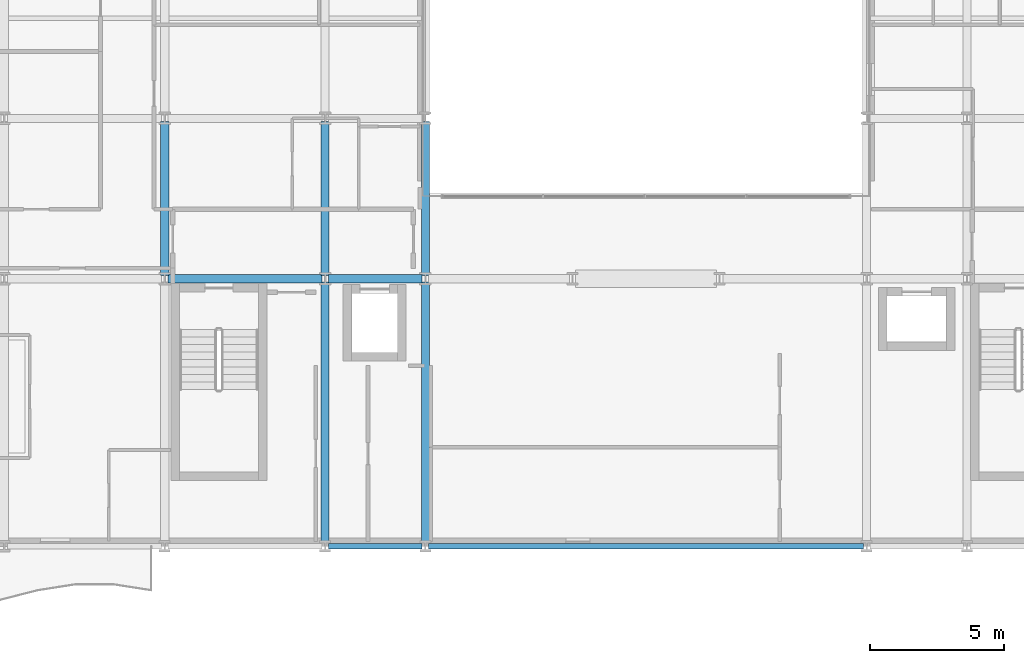
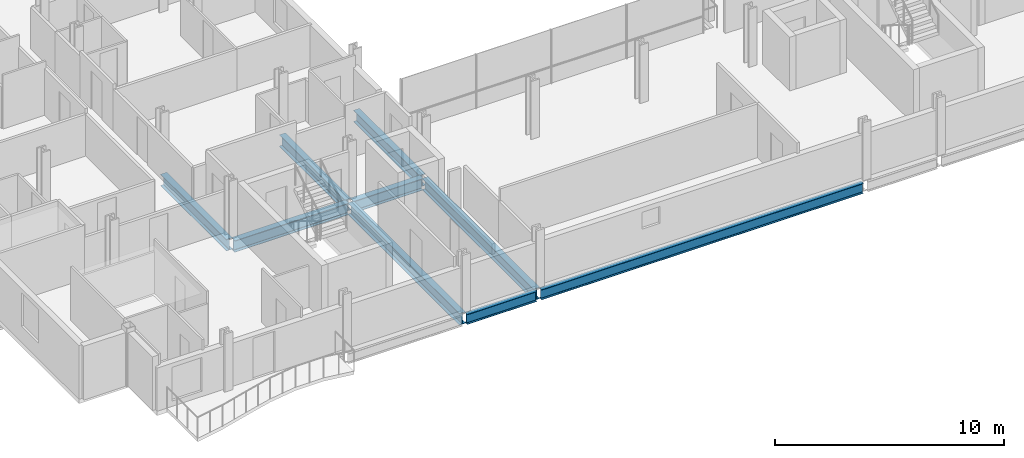
# One storey, part 3 of 41: 9 beams.
"""IFC4 building model written with IfcOpenShell, lengths in metres."""

from ifc_helpers import new_model, si_unit, direction, frame, origin, origin_2d, place, context, subcontext, project, spatial, i_section, extrude, material, material_profile, profile_set, type_object, element, save


model = new_model("IFC4")

# Units and contexts
model_context = context("Model", 3, precision=1e-05, world=origin(), true_north=direction((0.0, 1.0)))
body_context = subcontext(model_context, "Body", "Model", "MODEL_VIEW")
ifc_project = project(units=[si_unit("LENGTHUNIT", "METRE"), si_unit("AREAUNIT", "SQUARE_METRE"), si_unit("VOLUMEUNIT", "CUBIC_METRE"), si_unit("PLANEANGLEUNIT", "RADIAN"), si_unit("MASSUNIT", "GRAM", prefix="KILO")], contexts=[model_context])

# Site, building, storey
site_placement = place(None, origin())
site = spatial("IfcSite", under=ifc_project, at=site_placement, CompositionType="ELEMENT")
building_placement = place(site_placement, origin())
building = spatial("IfcBuilding", under=site, at=building_placement, Name="Brevholm Reach", CompositionType="ELEMENT")
storey_placement = place(building_placement, frame((0.0, 0.0, 49.699951171875)))
storey = spatial("IfcBuildingStorey", under=building, at=storey_placement, Name="L13", CompositionType="ELEMENT", Elevation=49.699951171875)

# Beams
ifc_material_1 = material(Name="Structural Steel S355J2", Category="steel")
ifc_material_profile_1 = material_profile(ifc_material_1, i_section(OverallWidth=0.210693359375, OverallDepth=0.53955078125, WebThickness=0.01171875, FlangeThickness=0.018798828125, FilletRadius=0.0126953125, at=origin_2d()), Name="UKB 533x210x109")
ifc_profile_set_1 = profile_set([ifc_material_profile_1], Name="Structural Steel S355J2")
beam_type_1 = type_object("IfcBeamType", Name="BM-SP539", PredefinedType="SPANDREL", material=ifc_profile_set_1)
beam_1_placement = place(storey_placement, frame((18.1201171875, 0.0, -0.499755859375), z_axis=(1.0, 0.0, 0.0), x_axis=(0.0, 1.0, 0.0)))
element("IfcBeam", 1, at=beam_1_placement, inside=storey, type_object=beam_type_1, Name="L13 SP-01B Framing Beam", PredefinedType="SPANDREL", context=body_context, shape_type="SweptSolid", body=[
    extrude(i_section(OverallWidth=0.210693359375, OverallDepth=0.53955078125, WebThickness=0.01171875, FlangeThickness=0.018798828125, FilletRadius=0.0126953125, at=origin_2d()), origin(), (0.0, 0.0, 1.0), 3.509765625),
])
beam_2_placement = place(storey_placement, frame((21.8701171875, 0.0, -0.499755859375), z_axis=(1.0, 0.0, 0.0), x_axis=(0.0, 1.0, 0.0)))
element("IfcBeam", 2, at=beam_2_placement, inside=storey, type_object=beam_type_1, Name="L13 SP-01B Framing Beam", PredefinedType="SPANDREL", context=body_context, shape_type="SweptSolid", body=[
    extrude(i_section(OverallWidth=0.210693359375, OverallDepth=0.53955078125, WebThickness=0.01171875, FlangeThickness=0.018798828125, FilletRadius=0.0126953125, at=origin_2d()), origin(), (0.0, 0.0, 1.0), 16.259765625),
])
ifc_material_2 = material(Name="Structural Steel S355J2", Category="steel")
ifc_material_profile_2 = material_profile(ifc_material_2, i_section(OverallWidth=0.30712890625, OverallDepth=0.6201171875, WebThickness=0.01416015625, FlangeThickness=0.023681640625, FilletRadius=0.0166015625, at=origin_2d()), Name="UKB 610x305x179")
ifc_profile_set_2 = profile_set([ifc_material_profile_2], Name="Structural Steel S355J2")
beam_type_2 = type_object("IfcBeamType", Name="BM-UKB610H", PredefinedType="USERDEFINED", material=ifc_profile_set_2)
beam_3_placement = place(storey_placement, frame((12.1201171875, 10.0, -0.5400390625), z_axis=(1.0, 0.0, 0.0), x_axis=(0.0, 1.0, 0.0)))
element("IfcBeam", 3, at=beam_3_placement, inside=storey, type_object=beam_type_2, Name="L13 G-06 Framing Beam", ObjectType="GIRDER", PredefinedType="USERDEFINED", context=body_context, shape_type="SweptSolid", body=[
    extrude(i_section(OverallWidth=0.30712890625, OverallDepth=0.6201171875, WebThickness=0.01416015625, FlangeThickness=0.023681640625, FilletRadius=0.0166015625, at=origin_2d()), origin(), (0.0, 0.0, 1.0), 5.759765625),
])
beam_4_placement = place(storey_placement, frame((18.1201171875, 10.0, -0.5400390625), z_axis=(1.0, 0.0, 0.0), x_axis=(0.0, 1.0, 0.0)))
element("IfcBeam", 4, at=beam_4_placement, inside=storey, type_object=beam_type_2, Name="L13 G-06 Framing Beam", ObjectType="GIRDER", PredefinedType="USERDEFINED", context=body_context, shape_type="SweptSolid", body=[
    extrude(i_section(OverallWidth=0.30712890625, OverallDepth=0.6201171875, WebThickness=0.01416015625, FlangeThickness=0.023681640625, FilletRadius=0.0166015625, at=origin_2d()), origin(), (0.0, 0.0, 1.0), 3.509765625),
])
beam_5_placement = place(storey_placement, frame((12.0, 10.1201171875, -0.5400390625), z_axis=(0.0, 1.0, 0.0), x_axis=(-1.0, 0.0, 0.0)))
element("IfcBeam", 5, at=beam_5_placement, inside=storey, type_object=beam_type_2, Name="L13 G-06 Framing Beam", ObjectType="GIRDER", PredefinedType="USERDEFINED", context=body_context, shape_type="SweptSolid", body=[
    extrude(i_section(OverallWidth=0.30712890625, OverallDepth=0.6201171875, WebThickness=0.01416015625, FlangeThickness=0.023681640625, FilletRadius=0.0166015625, at=origin_2d()), origin(), (0.0, 0.0, 1.0), 5.759765625),
])
beam_6_placement = place(storey_placement, frame((18.0, 0.1201171875, -0.5400390625), z_axis=(0.0, 1.0, 0.0), x_axis=(-1.0, 0.0, 0.0)))
element("IfcBeam", 6, at=beam_6_placement, inside=storey, type_object=beam_type_2, Name="L13 G-06 Framing Beam", ObjectType="GIRDER", PredefinedType="USERDEFINED", context=body_context, shape_type="SweptSolid", body=[
    extrude(i_section(OverallWidth=0.30712890625, OverallDepth=0.6201171875, WebThickness=0.01416015625, FlangeThickness=0.023681640625, FilletRadius=0.0166015625, at=origin_2d()), origin(), (0.0, 0.0, 1.0), 9.759765625),
])
beam_7_placement = place(storey_placement, frame((18.0, 10.1201171875, -0.5400390625), z_axis=(0.0, 1.0, 0.0), x_axis=(-1.0, 0.0, 0.0)))
element("IfcBeam", 7, at=beam_7_placement, inside=storey, type_object=beam_type_2, Name="L13 G-06 Framing Beam", ObjectType="GIRDER", PredefinedType="USERDEFINED", context=body_context, shape_type="SweptSolid", body=[
    extrude(i_section(OverallWidth=0.30712890625, OverallDepth=0.6201171875, WebThickness=0.01416015625, FlangeThickness=0.023681640625, FilletRadius=0.0166015625, at=origin_2d()), origin(), (0.0, 0.0, 1.0), 5.759765625),
])
beam_8_placement = place(storey_placement, frame((21.75, 0.1201171875, -0.5400390625), z_axis=(0.0, 1.0, 0.0), x_axis=(-1.0, 0.0, 0.0)))
element("IfcBeam", 8, at=beam_8_placement, inside=storey, type_object=beam_type_2, Name="L13 G-06 Framing Beam", ObjectType="GIRDER", PredefinedType="USERDEFINED", context=body_context, shape_type="SweptSolid", body=[
    extrude(i_section(OverallWidth=0.30712890625, OverallDepth=0.6201171875, WebThickness=0.01416015625, FlangeThickness=0.023681640625, FilletRadius=0.0166015625, at=origin_2d()), origin(), (0.0, 0.0, 1.0), 9.759765625),
])
beam_9_placement = place(storey_placement, frame((21.75, 10.1201171875, -0.5400390625), z_axis=(0.0, 1.0, 0.0), x_axis=(-1.0, 0.0, 0.0)))
element("IfcBeam", 9, at=beam_9_placement, inside=storey, type_object=beam_type_2, Name="L13 G-06 Framing Beam", ObjectType="GIRDER", PredefinedType="USERDEFINED", context=body_context, shape_type="SweptSolid", body=[
    extrude(i_section(OverallWidth=0.30712890625, OverallDepth=0.6201171875, WebThickness=0.01416015625, FlangeThickness=0.023681640625, FilletRadius=0.0166015625, at=origin_2d()), origin(), (0.0, 0.0, 1.0), 5.759765625),
])

save(model, "model.ifc")
